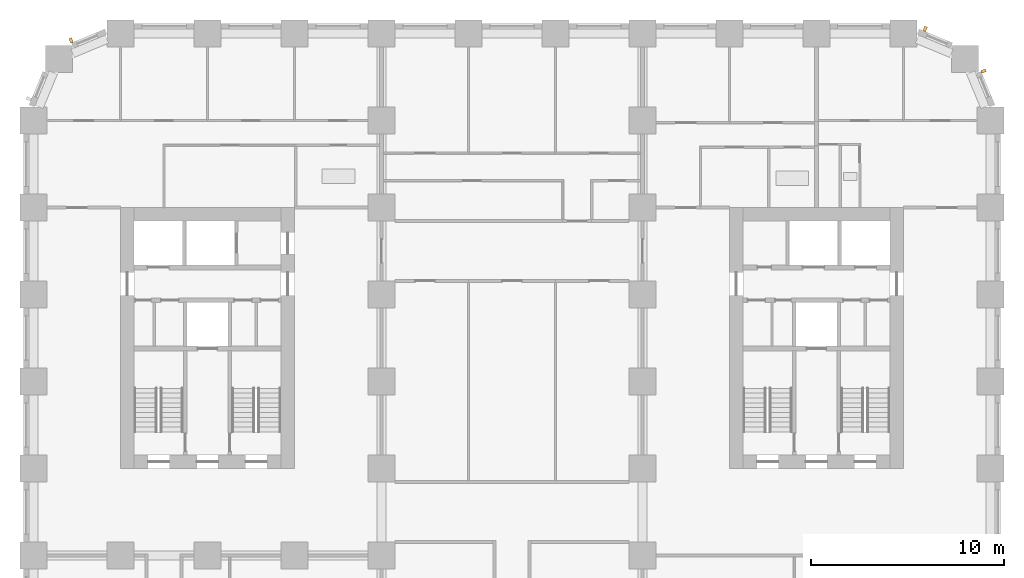
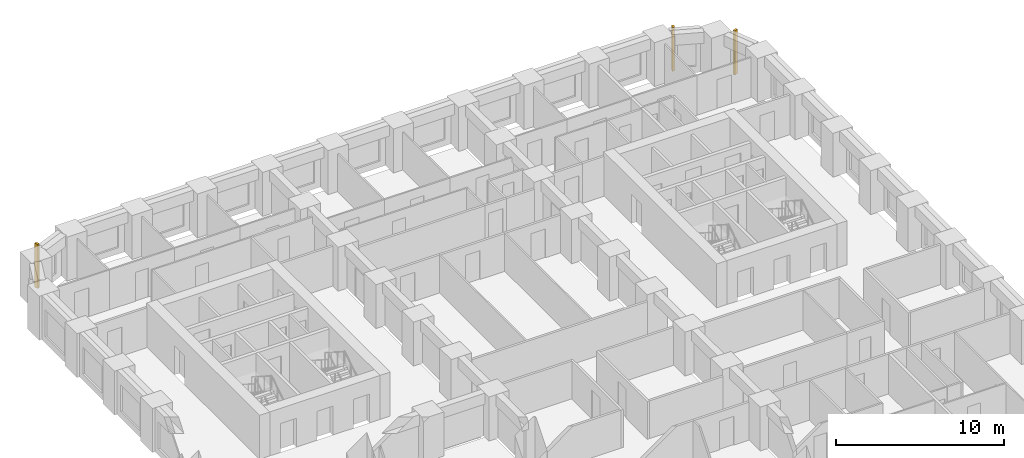
# One storey, part 12 of 13: 3 shading devices.
"""IFC4 building model written with IfcOpenShell, lengths in metres."""

from ifc_helpers import new_model, si_unit, direction, frame, origin, origin_2d, place, context, subcontext, project, spatial, rectangle, extrude, material, type_object, element, save


model = new_model("IFC4")

# Units and contexts
model_context = context("Model", 3, precision=1e-05, world=origin(), true_north=direction((0.0, 1.0)))
body_context = subcontext(model_context, "Body", "Model", "MODEL_VIEW")
ifc_project = project(units=[si_unit("LENGTHUNIT", "METRE"), si_unit("AREAUNIT", "SQUARE_METRE"), si_unit("VOLUMEUNIT", "CUBIC_METRE"), si_unit("PLANEANGLEUNIT", "RADIAN"), si_unit("MASSUNIT", "GRAM", prefix="KILO")], contexts=[model_context])

# Site, building, storey
site_placement = place(None, origin())
site = spatial("IfcSite", under=ifc_project, at=site_placement, CompositionType="ELEMENT")
building_placement = place(site_placement, origin())
building = spatial("IfcBuilding", under=site, at=building_placement, Name="Girih Gate Residences", CompositionType="ELEMENT")
storey_placement = place(building_placement, frame((0.0, 0.0, 40.0)))
storey = spatial("IfcBuildingStorey", under=building, at=storey_placement, Name="L09", CompositionType="ELEMENT", Elevation=40.0)

# Shading devices
ifc_material = material(Name="Precast concrete C50/60", Category="concrete")
shading_device_type = type_object("IfcShadingDeviceType", Name="Corner rib 150x250", PredefinedType="USERDEFINED", material=ifc_material)
for number, where, z_axis, x_axis, name in (
    (1, (49.14501953125, 47.5556640625, 0.0), (0.0, 0.0, 1.0), (-0.382683432365, 0.923879532511, 0.0), "Corner rib NE0495_0450.0"),
    (2, (46.123779296875, 49.738037109375, 0.0), (0.0, 0.0, 1.0), (-0.923879532511, 0.382683432365, 0.0), "Corner rib NE0482_0482.0"),
    (3, (1.9443359375, 49.14501953125, 0.0), (0.0, 0.0, 1.0), (-0.923879532511, -0.382683432365, 0.0), "Corner rib NW0045_0495.0"),
):
    element("IfcShadingDevice", number, at=place(storey_placement, frame(where, z_axis=z_axis, x_axis=x_axis)), inside=storey, type_object=shading_device_type, Name=name, ObjectType="FIN", PredefinedType="USERDEFINED", context=body_context, shape_type="SweptSolid", body=[
        extrude(rectangle(XDim=0.14990234375, YDim=0.25, at=origin_2d()), origin(), (0.0, 0.0, 1.0), 3.199951171875),
    ])

save(model, "model.ifc")
